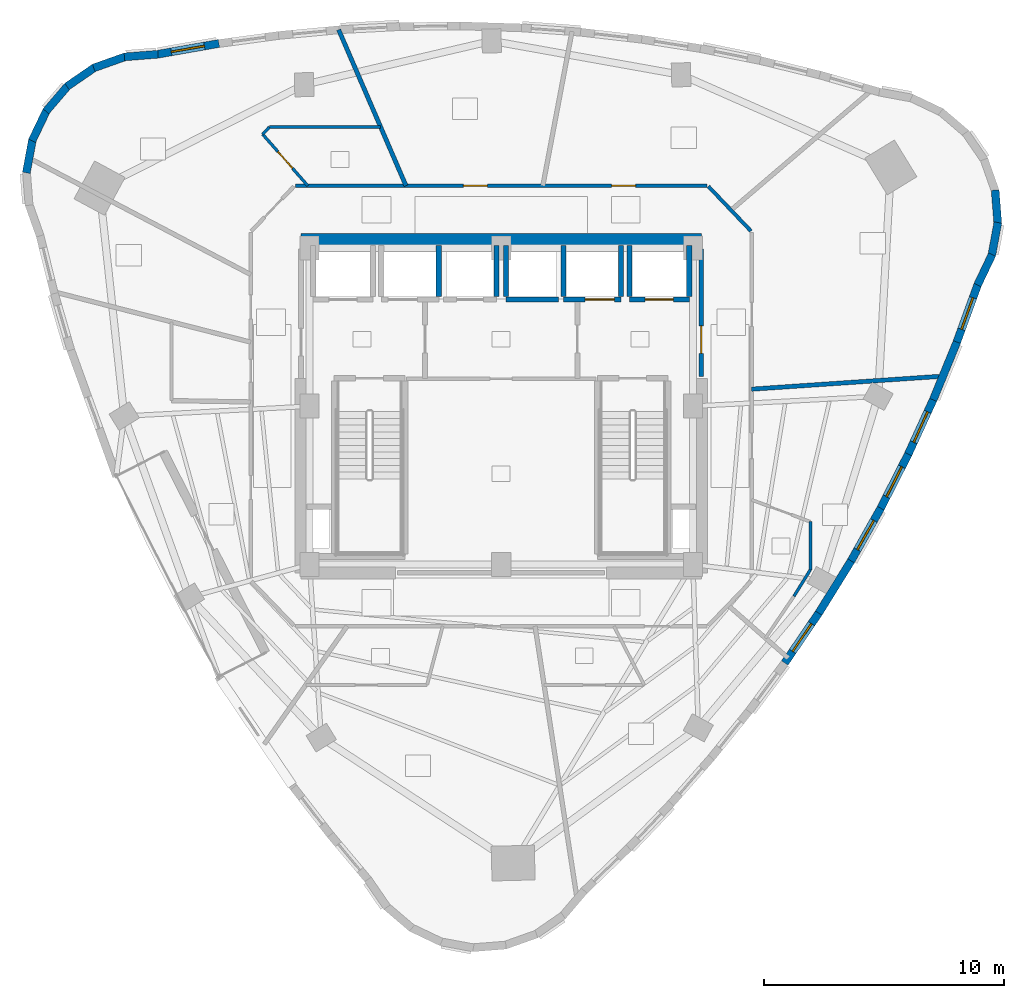
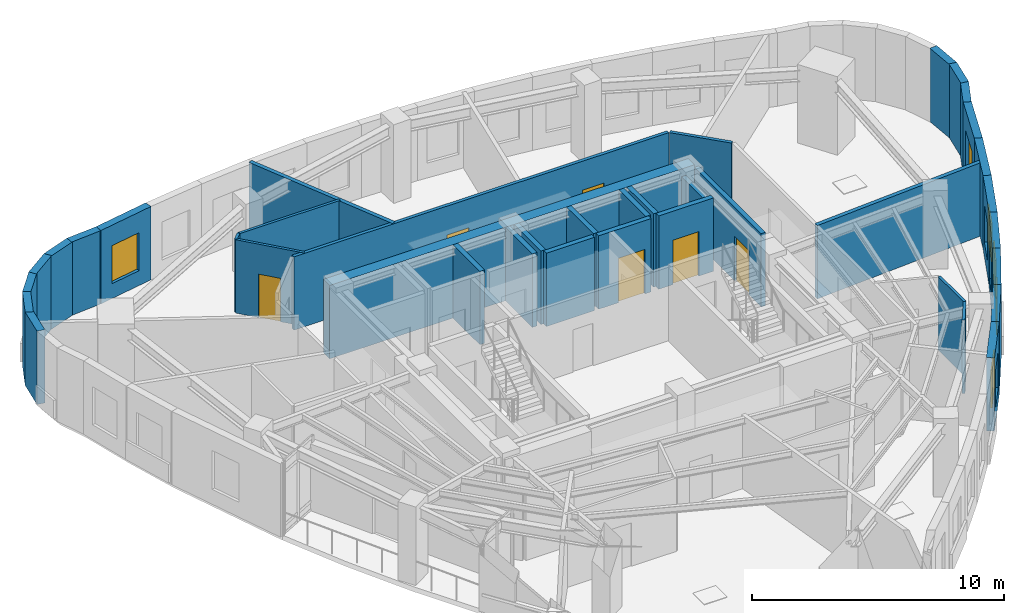
# One storey, part 8 of 12: 38 walls, 6 doors, 6 windows, 12 openings.
"""IFC4 building model written with IfcOpenShell, lengths in metres."""

from ifc_helpers import new_model, si_unit, direction, frame, frame_2d, origin, place, context, subcontext, project, spatial, rectangle, extrude, material, layer, layer_set, type_object, element, fill, save


model = new_model("IFC4")

# Units and contexts
model_context = context("Model", 3, precision=1e-05, world=origin(), true_north=direction((0.0, 1.0)))
body_context = subcontext(model_context, "Body", "Model", "MODEL_VIEW")
ifc_project = project(units=[si_unit("LENGTHUNIT", "METRE"), si_unit("AREAUNIT", "SQUARE_METRE"), si_unit("VOLUMEUNIT", "CUBIC_METRE"), si_unit("PLANEANGLEUNIT", "RADIAN"), si_unit("MASSUNIT", "GRAM", prefix="KILO")], contexts=[model_context])

# Site, building, storey
site_placement = place(None, origin())
site = spatial("IfcSite", under=ifc_project, at=site_placement, CompositionType="ELEMENT")
building_placement = place(site_placement, origin())
building = spatial("IfcBuilding", under=site, at=building_placement, Name="Ndelora Gate Hotel", CompositionType="ELEMENT")
storey_placement = place(building_placement, frame((0.0, 0.0, 201.75)))
storey = spatial("IfcBuildingStorey", under=building, at=storey_placement, Name="L50", CompositionType="ELEMENT", Elevation=201.75)

# Walls
ifc_material_1 = material(Name="Acoustic Double-Stud Gypsum Assembly", Category="gypsum")
ifc_layer_1 = layer(ifc_material_1, 0.179931640625)
ifc_layer_set_1 = layer_set([ifc_layer_1], Name="Acoustic Double-Stud Gypsum Assembly")
wall_type_1 = type_object("IfcWallType", Name="WL-ACOUST-180", PredefinedType="PARTITIONING", material=ifc_layer_set_1)
wall_1_placement = place(storey_placement, frame((10.449951171875, 0.7109375, 0.0), z_axis=(0.0, 0.0, 1.0), x_axis=(0.997694458534, 0.067865804428, 0.0)))
element("IfcWall", 1, at=wall_1_placement, inside=storey, type_object=wall_type_1, Name="L50 Interior Wall IW-3", PredefinedType="PARTITIONING", context=body_context, shape_type="SweptSolid", body=[
    extrude(rectangle(XDim=8.000732421875, YDim=0.179931640625, at=frame_2d((4.00048828125, 0.0))), origin(), (0.0, 0.0, 1.0), 3.550048828125),
])
wall_2_placement = place(storey_placement, frame((-3.971923828125, 9.199951171875, 0.0), z_axis=(0.0, 0.0, 1.0), x_axis=(-0.396382581843, 0.918085425661, 0.0)))
element("IfcWall", 2, at=wall_2_placement, inside=storey, type_object=wall_type_1, Name="L50 Interior Wall IW-3", PredefinedType="PARTITIONING", context=body_context, shape_type="SweptSolid", body=[
    extrude(rectangle(XDim=7.08935546875, YDim=0.179931640625, at=frame_2d((3.544677734375, 0.0))), origin(), (0.0, 0.0, 1.0), 3.550048828125),
])
ifc_material_2 = material(Name="Clay Brick Masonry", Category="masonry")
ifc_layer_2 = layer(ifc_material_2, 0.330078125)
ifc_layer_set_2 = layer_set([ifc_layer_2], Name="Clay Brick Masonry")
wall_type_2 = type_object("IfcWallType", Name="WL-BRICK-330", PredefinedType="SOLIDWALL", material=ifc_layer_set_2)
wall_3_placement = place(storey_placement, frame((-15.72265625, 14.576416015625, 0.0), z_axis=(0.0, 0.0, 1.0), x_axis=(0.996907811278, 0.07857999626, 0.0)))
element("IfcWall", 3, at=wall_3_placement, inside=storey, type_object=wall_type_2, Name="L50 Tower Brick Pier-and-Spandrel Wall TWR-1", PredefinedType="SOLIDWALL", context=body_context, shape_type="SweptSolid", body=[
    extrude(rectangle(XDim=1.407470703125, YDim=0.330078125, at=frame_2d((0.70361328125, 0.0))), origin(), (0.0, 0.0, 1.0), 3.550048828125),
])
wall_4_placement = place(storey_placement, frame((-17.0009765625, 14.1171875, 0.0), z_axis=(0.0, 0.0, 1.0), x_axis=(0.942676111555, 0.333709077945, 0.0)))
element("IfcWall", 4, at=wall_4_placement, inside=storey, type_object=wall_type_2, Name="L50 Tower Brick Pier-and-Spandrel Wall TWR-2", PredefinedType="SOLIDWALL", context=body_context, shape_type="SweptSolid", body=[
    extrude(rectangle(XDim=1.40771484375, YDim=0.330078125, at=frame_2d((0.703857421875, 0.0))), origin(), (0.0, 0.0, 1.0), 3.550048828125),
])
for number, where, z_axis, x_axis, name in (
    (5, (-18.11669921875, 13.34228515625, 0.0), (0.0, 0.0, 1.0), (0.824067227947, 0.566492015675, 0.0), "L50 Tower Brick Pier-and-Spandrel Wall TWR-3"),
    (6, (-18.993896484375, 12.30517578125, 0.0), (0.0, 0.0, 1.0), (0.64941898982, 0.760430782952, 0.0), "L50 Tower Brick Pier-and-Spandrel Wall TWR-4"),
    (7, (-19.572998046875, 11.076416015625, 0.0), (0.0, 0.0, 1.0), (0.430694266873, 0.902497893894, 0.0), "L50 Tower Brick Pier-and-Spandrel Wall TWR-5"),
    (8, (-19.814208984375, 9.73974609375, 0.0), (0.0, 0.0, 1.0), (0.182319094132, 0.983239415359, 0.0), "L50 Tower Brick Pier-and-Spandrel Wall TWR-6"),
):
    element("IfcWall", number, at=place(storey_placement, frame(where, z_axis=z_axis, x_axis=x_axis)), inside=storey, type_object=wall_type_2, Name=name, PredefinedType="SOLIDWALL", context=body_context, shape_type="SweptSolid", body=[
        extrude(rectangle(XDim=1.407470703125, YDim=0.330078125, at=frame_2d((0.70361328125, 0.0))), origin(), (0.0, 0.0, 1.0), 3.550048828125),
    ])

# Wall, opening, window
wall_5_placement = place(storey_placement, frame((13.277099609375, -8.59228515625, 0.0), z_axis=(0.0, 0.0, 1.0), x_axis=(-0.562164288669, -0.827025581554, 0.0)))
wall_5 = element("IfcWall", 9, at=wall_5_placement, inside=storey, type_object=wall_type_2, Name="L50 Tower Brick Pier-and-Spandrel Wall TWR-32", PredefinedType="SOLIDWALL", context=body_context, shape_type="SweptSolid", body=[
    extrude(rectangle(XDim=2.566162109375, YDim=0.330078125, at=frame_2d((1.283203125, 0.0))), origin(), (0.0, 0.0, 1.0), 3.550048828125),
])
opening_1_placement = place(wall_5_placement, frame((0.5830078125, 0.0, 0.719970703125)))
opening_1 = element("IfcOpeningElement", 10, at=opening_1_placement, cuts=wall_5, Name="Opening W02", PredefinedType="OPENING", context=body_context, shape_type="SweptSolid", body=[
    extrude(rectangle(XDim=1.39990234375, YDim=1.840087890625, at=frame_2d((0.699951171875, 0.919921875))), frame((0.0, 0.175048828125, 0.0), z_axis=(0.0, -1.0, 0.0), x_axis=(1.0, 0.0, 0.0)), (0.0, 0.0, 1.0), 0.35009765625),
])
ifc_material_3 = material(Name="Insulated Low-E Double Glazing in Bronze Aluminium Frame", Category="aluminium")
window_type = type_object("IfcWindowType", Name="WN-DEEP-1400", PartitioningType="SINGLE_PANEL", PredefinedType="WINDOW", material=ifc_material_3)
window_1_placement = place(opening_1_placement, origin())
window_1 = element("IfcWindow", 11, at=window_1_placement, inside=storey, type_object=window_type, Name="L50 Deep-Set Brick-Pier Window W02", OverallHeight=1.840087890625, OverallWidth=1.39990234375, PartitioningType="SINGLE_PANEL", PredefinedType="WINDOW", context=body_context, shape_type="SweptSolid", body=[
    extrude(rectangle(XDim=1.39990234375, YDim=1.840087890625, at=frame_2d((0.699951171875, 0.919921875))), frame((0.0, 0.030029296875, 0.0), z_axis=(0.0, -1.0, 0.0), x_axis=(1.0, 0.0, 0.0)), (0.0, 0.0, 1.0), 0.06005859375),
])
fill(opening_1, window_1)

# Wall
wall_6_placement = place(storey_placement, frame((14.601806640625, -6.453369140625, 0.0), z_axis=(0.0, 0.0, 1.0), x_axis=(-0.526908054593, -0.849922291745, 0.0)))
element("IfcWall", 12, at=wall_6_placement, inside=storey, type_object=wall_type_2, Name="L50 Tower Brick Pier-and-Spandrel Wall TWR-33", PredefinedType="SOLIDWALL", context=body_context, shape_type="SweptSolid", body=[
    extrude(rectangle(XDim=2.56591796875, YDim=0.330078125, at=frame_2d((1.282958984375, 0.0))), origin(), (0.0, 0.0, 1.0), 3.550048828125),
])

# Wall, opening, window
wall_7_placement = place(storey_placement, frame((15.838134765625, -4.2568359375, 0.0), z_axis=(0.0, 0.0, 1.0), x_axis=(-0.490851857412, -0.871243051091, 0.0)))
wall_7 = element("IfcWall", 13, at=wall_7_placement, inside=storey, type_object=wall_type_2, Name="L50 Tower Brick Pier-and-Spandrel Wall TWR-34", PredefinedType="SOLIDWALL", context=body_context, shape_type="SweptSolid", body=[
    extrude(rectangle(XDim=2.570556640625, YDim=0.330078125, at=frame_2d((1.28515625, 0.0))), origin(), (0.0, 0.0, 1.0), 3.550048828125),
])
opening_2_placement = place(wall_7_placement, frame((0.585205078125, 0.0, 0.719970703125)))
opening_2 = element("IfcOpeningElement", 14, at=opening_2_placement, cuts=wall_7, Name="Opening W02", PredefinedType="OPENING", context=body_context, shape_type="SweptSolid", body=[
    extrude(rectangle(XDim=1.39990234375, YDim=1.840087890625, at=frame_2d((0.699951171875, 0.919921875))), frame((0.0, 0.175048828125, 0.0), z_axis=(0.0, -1.0, 0.0), x_axis=(1.0, 0.0, 0.0)), (0.0, 0.0, 1.0), 0.35009765625),
])
window_2_placement = place(opening_2_placement, origin())
window_2 = element("IfcWindow", 15, at=window_2_placement, inside=storey, type_object=window_type, Name="L50 Deep-Set Brick-Pier Window W02", OverallHeight=1.840087890625, OverallWidth=1.39990234375, PartitioningType="SINGLE_PANEL", PredefinedType="WINDOW", context=body_context, shape_type="SweptSolid", body=[
    extrude(rectangle(XDim=1.39990234375, YDim=1.840087890625, at=frame_2d((0.699951171875, 0.919921875))), frame((0.0, 0.030029296875, 0.0), z_axis=(0.0, -1.0, 0.0), x_axis=(1.0, 0.0, 0.0)), (0.0, 0.0, 1.0), 0.06005859375),
])
fill(opening_2, window_2)

wall_8_placement = place(storey_placement, frame((16.986083984375, -2.002685546875, 0.0), z_axis=(0.0, 0.0, 1.0), x_axis=(-0.454203650024, -0.890897886576, 0.0)))
wall_8 = element("IfcWall", 16, at=wall_8_placement, inside=storey, type_object=wall_type_2, Name="L50 Tower Brick Pier-and-Spandrel Wall TWR-35", PredefinedType="SOLIDWALL", context=body_context, shape_type="SweptSolid", body=[
    extrude(rectangle(XDim=2.57958984375, YDim=0.330078125, at=frame_2d((1.289794921875, 0.0))), origin(), (0.0, 0.0, 1.0), 3.550048828125),
])
opening_3_placement = place(wall_8_placement, frame((0.589599609375, 0.0, 0.719970703125)))
opening_3 = element("IfcOpeningElement", 17, at=opening_3_placement, cuts=wall_8, Name="Opening W02", PredefinedType="OPENING", context=body_context, shape_type="SweptSolid", body=[
    extrude(rectangle(XDim=1.39990234375, YDim=1.840087890625, at=frame_2d((0.699951171875, 0.919921875))), frame((0.0, 0.175048828125, 0.0), z_axis=(0.0, -1.0, 0.0), x_axis=(1.0, 0.0, 0.0)), (0.0, 0.0, 1.0), 0.35009765625),
])
window_3_placement = place(opening_3_placement, origin())
window_3 = element("IfcWindow", 18, at=window_3_placement, inside=storey, type_object=window_type, Name="L50 Deep-Set Brick-Pier Window W02", OverallHeight=1.840087890625, OverallWidth=1.39990234375, PartitioningType="SINGLE_PANEL", PredefinedType="WINDOW", context=body_context, shape_type="SweptSolid", body=[
    extrude(rectangle(XDim=1.39990234375, YDim=1.840087890625, at=frame_2d((0.699951171875, 0.919921875))), frame((0.0, 0.030029296875, 0.0), z_axis=(0.0, -1.0, 0.0), x_axis=(1.0, 0.0, 0.0)), (0.0, 0.0, 1.0), 0.06005859375),
])
fill(opening_3, window_3)

wall_9_placement = place(storey_placement, frame((18.04541015625, 0.30859375, 0.0), z_axis=(0.0, 0.0, 1.0), x_axis=(-0.41697893771, -0.908916148776, 0.0)))
wall_9 = element("IfcWall", 19, at=wall_9_placement, inside=storey, type_object=wall_type_2, Name="L50 Tower Brick Pier-and-Spandrel Wall TWR-36", PredefinedType="SOLIDWALL", context=body_context, shape_type="SweptSolid", body=[
    extrude(rectangle(XDim=2.592529296875, YDim=0.330078125, at=frame_2d((1.29638671875, 0.0))), origin(), (0.0, 0.0, 1.0), 3.550048828125),
])
opening_4_placement = place(wall_9_placement, frame((0.59619140625, 0.0, 0.719970703125)))
opening_4 = element("IfcOpeningElement", 20, at=opening_4_placement, cuts=wall_9, Name="Opening W02", PredefinedType="OPENING", context=body_context, shape_type="SweptSolid", body=[
    extrude(rectangle(XDim=1.39990234375, YDim=1.840087890625, at=frame_2d((0.699951171875, 0.919921875))), frame((0.0, 0.175048828125, 0.0), z_axis=(0.0, -1.0, 0.0), x_axis=(1.0, 0.0, 0.0)), (0.0, 0.0, 1.0), 0.35009765625),
])
window_4_placement = place(opening_4_placement, origin())
window_4 = element("IfcWindow", 21, at=window_4_placement, inside=storey, type_object=window_type, Name="L50 Deep-Set Brick-Pier Window W02", OverallHeight=1.840087890625, OverallWidth=1.39990234375, PartitioningType="SINGLE_PANEL", PredefinedType="WINDOW", context=body_context, shape_type="SweptSolid", body=[
    extrude(rectangle(XDim=1.39990234375, YDim=1.840087890625, at=frame_2d((0.699951171875, 0.919921875))), frame((0.0, 0.030029296875, 0.0), z_axis=(0.0, -1.0, 0.0), x_axis=(1.0, 0.0, 0.0)), (0.0, 0.0, 1.0), 0.06005859375),
])
fill(opening_4, window_4)

# Wall
wall_10_placement = place(storey_placement, frame((19.01611328125, 2.67724609375, 0.0), z_axis=(0.0, 0.0, 1.0), x_axis=(-0.379601522234, -0.925150087455, 0.0)))
element("IfcWall", 22, at=wall_10_placement, inside=storey, type_object=wall_type_2, Name="L50 Tower Brick Pier-and-Spandrel Wall TWR-37", PredefinedType="SOLIDWALL", context=body_context, shape_type="SweptSolid", body=[
    extrude(rectangle(XDim=2.60986328125, YDim=0.330078125, at=frame_2d((1.304931640625, 0.0))), origin(), (0.0, 0.0, 1.0), 3.550048828125),
])

# Wall, opening, window
wall_11_placement = place(storey_placement, frame((19.8984375, 5.103759765625, 0.0), z_axis=(0.0, 0.0, 1.0), x_axis=(-0.342100538488, -0.939663355445, 0.0)))
wall_11 = element("IfcWall", 23, at=wall_11_placement, inside=storey, type_object=wall_type_2, Name="L50 Tower Brick Pier-and-Spandrel Wall TWR-38", PredefinedType="SOLIDWALL", context=body_context, shape_type="SweptSolid", body=[
    extrude(rectangle(XDim=2.6318359375, YDim=0.330078125, at=frame_2d((1.31591796875, 0.0))), origin(), (0.0, 0.0, 1.0), 3.550048828125),
])
opening_5_placement = place(wall_11_placement, frame((0.615966796875, 0.0, 0.719970703125)))
opening_5 = element("IfcOpeningElement", 24, at=opening_5_placement, cuts=wall_11, Name="Opening W02", PredefinedType="OPENING", context=body_context, shape_type="SweptSolid", body=[
    extrude(rectangle(XDim=1.39990234375, YDim=1.840087890625, at=frame_2d((0.699951171875, 0.919921875))), frame((0.0, 0.175048828125, 0.0), z_axis=(0.0, -1.0, 0.0), x_axis=(1.0, 0.0, 0.0)), (0.0, 0.0, 1.0), 0.35009765625),
])
window_5_placement = place(opening_5_placement, origin())
window_5 = element("IfcWindow", 25, at=window_5_placement, inside=storey, type_object=window_type, Name="L50 Deep-Set Brick-Pier Window W02", OverallHeight=1.840087890625, OverallWidth=1.39990234375, PartitioningType="SINGLE_PANEL", PredefinedType="WINDOW", context=body_context, shape_type="SweptSolid", body=[
    extrude(rectangle(XDim=1.39990234375, YDim=1.840087890625, at=frame_2d((0.699951171875, 0.919921875))), frame((0.0, 0.030029296875, 0.0), z_axis=(0.0, -1.0, 0.0), x_axis=(1.0, 0.0, 0.0)), (0.0, 0.0, 1.0), 0.06005859375),
])
fill(opening_5, window_5)

# Walls
wall_12_placement = place(storey_placement, frame((20.485107421875, 6.327880859375, 0.0), z_axis=(0.0, 0.0, 1.0), x_axis=(-0.430694266873, -0.902497893894, 0.0)))
element("IfcWall", 26, at=wall_12_placement, inside=storey, type_object=wall_type_2, Name="L50 Tower Brick Pier-and-Spandrel Wall TWR-39", PredefinedType="SOLIDWALL", context=body_context, shape_type="SweptSolid", body=[
    extrude(rectangle(XDim=1.407470703125, YDim=0.330078125, at=frame_2d((0.70361328125, 0.0))), origin(), (0.0, 0.0, 1.0), 3.550048828125),
])
wall_13_placement = place(storey_placement, frame((20.726318359375, 7.664794921875, 0.0), z_axis=(0.0, 0.0, 1.0), x_axis=(-0.182455673353, -0.983214080077, 0.0)))
element("IfcWall", 27, at=wall_13_placement, inside=storey, type_object=wall_type_2, Name="L50 Tower Brick Pier-and-Spandrel Wall TWR-40", PredefinedType="SOLIDWALL", context=body_context, shape_type="SweptSolid", body=[
    extrude(rectangle(XDim=1.40771484375, YDim=0.330078125, at=frame_2d((0.703857421875, 0.0))), origin(), (0.0, 0.0, 1.0), 3.550048828125),
])
wall_14_placement = place(storey_placement, frame((20.613037109375, 9.018310546875, 0.0), z_axis=(0.0, 0.0, 1.0), x_axis=(0.07857999626, -0.996907811278, 0.0)))
element("IfcWall", 28, at=wall_14_placement, inside=storey, type_object=wall_type_2, Name="L50 Tower Brick Pier-and-Spandrel Wall TWR-41", PredefinedType="SOLIDWALL", context=body_context, shape_type="SweptSolid", body=[
    extrude(rectangle(XDim=1.407470703125, YDim=0.330078125, at=frame_2d((0.70361328125, 0.0))), origin(), (0.0, 0.0, 1.0), 3.550048828125),
])

# Wall, opening, window
wall_15_placement = place(storey_placement, frame((-14.368896484375, 14.6806640625, 0.0), z_axis=(0.0, 0.0, 1.0), x_axis=(0.984819029835, 0.173584211476, 0.0)))
wall_15 = element("IfcWall", 29, at=wall_15_placement, inside=storey, type_object=wall_type_2, Name="L50 Tower Brick Pier-and-Spandrel Wall TWR-58", PredefinedType="SOLIDWALL", context=body_context, shape_type="SweptSolid", body=[
    extrude(rectangle(XDim=2.631591796875, YDim=0.330078125, at=frame_2d((1.31591796875, 0.0))), origin(), (0.0, 0.0, 1.0), 3.550048828125),
])
opening_6_placement = place(wall_15_placement, frame((0.61572265625, 0.0, 0.719970703125)))
opening_6 = element("IfcOpeningElement", 30, at=opening_6_placement, cuts=wall_15, Name="Opening W02", PredefinedType="OPENING", context=body_context, shape_type="SweptSolid", body=[
    extrude(rectangle(XDim=1.39990234375, YDim=1.840087890625, at=frame_2d((0.699951171875, 0.919921875))), frame((0.0, 0.175048828125, 0.0), z_axis=(0.0, -1.0, 0.0), x_axis=(1.0, 0.0, 0.0)), (0.0, 0.0, 1.0), 0.35009765625),
])
window_6_placement = place(opening_6_placement, origin())
window_6 = element("IfcWindow", 31, at=window_6_placement, inside=storey, type_object=window_type, Name="L50 Deep-Set Brick-Pier Window W02", OverallHeight=1.840087890625, OverallWidth=1.39990234375, PartitioningType="SINGLE_PANEL", PredefinedType="WINDOW", context=body_context, shape_type="SweptSolid", body=[
    extrude(rectangle(XDim=1.39990234375, YDim=1.840087890625, at=frame_2d((0.699951171875, 0.919921875))), frame((0.0, 0.030029296875, 0.0), z_axis=(0.0, -1.0, 0.0), x_axis=(1.0, 0.0, 0.0)), (0.0, 0.0, 1.0), 0.06005859375),
])
fill(opening_6, window_6)

# Wall
ifc_material_4 = material(Name="Concrete C50/60", Category="concrete")
ifc_layer_3 = layer(ifc_material_4, 0.5)
ifc_layer_set_3 = layer_set([ifc_layer_3], Name="Concrete C50/60")
wall_type_3 = type_object("IfcWallType", Name="WL-CORE-500", PredefinedType="SHEAR", material=ifc_layer_set_3)
wall_16_placement = place(storey_placement, frame((-8.35009765625, 6.949951171875, 0.0), z_axis=(0.0, 0.0, 1.0), x_axis=(1.0, 0.0, 0.0)))
element("IfcWall", 32, at=wall_16_placement, inside=storey, type_object=wall_type_3, Name="L50 Core Shear Wall N", PredefinedType="SHEAR", context=body_context, shape_type="SweptSolid", body=[
    extrude(rectangle(XDim=16.7001953125, YDim=0.5, at=frame_2d((8.35009765625, 0.0))), origin(), (0.0, 0.0, 1.0), 3.550048828125),
])

# Wall, opening, door
ifc_material_5 = material(Name="Concrete C40/50", Category="concrete")
ifc_layer_4 = layer(ifc_material_5, 0.199951171875)
ifc_layer_set_4 = layer_set([ifc_layer_4], Name="Concrete C40/50")
wall_type_4 = type_object("IfcWallType", Name="WL-FIRE-200", PredefinedType="PARTITIONING", material=ifc_layer_set_4)
wall_17_placement = place(storey_placement, frame((8.35009765625, 1.25, 0.0), z_axis=(0.0, 0.0, 1.0), x_axis=(0.0, 1.0, 0.0)))
wall_17 = element("IfcWall", 33, at=wall_17_placement, inside=storey, type_object=wall_type_4, Name="L50 Interior Wall IW-2", PredefinedType="PARTITIONING", context=body_context, shape_type="SweptSolid", body=[
    extrude(rectangle(XDim=5.300048828125, YDim=0.199951171875, at=frame_2d((2.64990234375, 0.0))), origin(), (0.0, 0.0, 1.0), 3.550048828125),
])
opening_7_placement = place(wall_17_placement, frame((0.949951171875, 0.0, 0.0)))
opening_7 = element("IfcOpeningElement", 34, at=opening_7_placement, cuts=wall_17, Name="Opening FD1", PredefinedType="OPENING", context=body_context, shape_type="SweptSolid", body=[
    extrude(rectangle(XDim=1.14990234375, YDim=2.14990234375, at=frame_2d((0.574951171875, 1.074951171875))), frame((0.0, 0.10986328125, 0.0), z_axis=(0.0, -1.0, 0.0), x_axis=(1.0, 0.0, 0.0)), (0.0, 0.0, 1.0), 0.219970703125),
])
ifc_material_6 = material(Name="Fire-Rated Timber-Veneer Steel Core", Category="steel")
door_type_1 = type_object("IfcDoorType", Name="DR-FD60", OperationType="SINGLE_SWING_LEFT", PredefinedType="DOOR", material=ifc_material_6)
door_1_placement = place(opening_7_placement, origin())
door_1 = element("IfcDoor", 35, at=door_1_placement, inside=storey, type_object=door_type_1, Name="L50 Firefighting Lobby East Corridor Door", OperationType="SINGLE_SWING_RIGHT", OverallHeight=2.14990234375, OverallWidth=1.14990234375, PredefinedType="DOOR", context=body_context, shape_type="SweptSolid", body=[
    extrude(rectangle(XDim=1.14990234375, YDim=2.14990234375, at=frame_2d((0.574951171875, 1.074951171875))), frame((0.0, 0.02490234375, 0.0), z_axis=(0.0, -1.0, 0.0), x_axis=(1.0, 0.0, 0.0)), (0.0, 0.0, 1.0), 0.050048828125),
])
fill(opening_7, door_1)

# Wall
ifc_material_7 = material(Name="Fire-Rated Gypsum Stud Partition", Category="gypsum")
ifc_layer_5 = layer(ifc_material_7, 0.14990234375)
ifc_layer_set_5 = layer_set([ifc_layer_5], Name="Fire-Rated Gypsum Stud Partition")
wall_type_5 = type_object("IfcWallType", Name="WL-PART-150", PredefinedType="PARTITIONING", material=ifc_layer_set_5)
wall_18_placement = place(storey_placement, frame((8.647705078125, 9.1708984375, 0.0), z_axis=(0.0, 0.0, 1.0), x_axis=(0.689960858356, -0.723846678473, 0.0)))
element("IfcWall", 36, at=wall_18_placement, inside=storey, type_object=wall_type_5, Name="L50 Interior Wall IW-5", PredefinedType="PARTITIONING", context=body_context, shape_type="SweptSolid", body=[
    extrude(rectangle(XDim=2.572021484375, YDim=0.14990234375, at=frame_2d((1.2861328125, 0.0))), origin(), (0.0, 0.0, 1.0), 3.550048828125),
])

# Wall, openings, doors
wall_19_placement = place(storey_placement, frame((-8.580078125, 9.199951171875, 0.0), z_axis=(0.0, 0.0, 1.0), x_axis=(1.0, 0.0, 0.0)))
wall_19 = element("IfcWall", 37, at=wall_19_placement, inside=storey, type_object=wall_type_5, Name="L50 Interior Wall IW-5", PredefinedType="PARTITIONING", context=body_context, shape_type="SweptSolid", body=[
    extrude(rectangle(XDim=17.16015625, YDim=0.14990234375, at=frame_2d((8.580078125, 0.0))), origin(), (0.0, 0.0, 1.0), 3.550048828125),
])
opening_8_placement = place(wall_19_placement, frame((7.0078125, 0.0, 0.0)))
opening_8 = element("IfcOpeningElement", 38, at=opening_8_placement, cuts=wall_19, Name="Opening D01", PredefinedType="OPENING", context=body_context, shape_type="SweptSolid", body=[
    extrude(rectangle(XDim=1.0, YDim=2.14990234375, at=frame_2d((0.5, 1.074951171875))), frame((0.0, 0.0849609375, 0.0), z_axis=(0.0, -1.0, 0.0), x_axis=(1.0, 0.0, 0.0)), (0.0, 0.0, 1.0), 0.169921875),
])
opening_9_placement = place(wall_19_placement, frame((13.189453125, 0.0, 0.0)))
opening_9 = element("IfcOpeningElement", 39, at=opening_9_placement, cuts=wall_19, Name="Opening D01", PredefinedType="OPENING", context=body_context, shape_type="SweptSolid", body=[
    extrude(rectangle(XDim=1.0, YDim=2.14990234375, at=frame_2d((0.5, 1.074951171875))), frame((0.0, 0.0849609375, 0.0), z_axis=(0.0, -1.0, 0.0), x_axis=(1.0, 0.0, 0.0)), (0.0, 0.0, 1.0), 0.169921875),
])
ifc_material_8 = material(Name="Acoustic Hardwood Guest Entrance Door", Category="wood")
door_type_2 = type_object("IfcDoorType", Name="DR-COR-1000", OperationType="SINGLE_SWING_LEFT", PredefinedType="DOOR", material=ifc_material_8)
door_2_placement = place(opening_8_placement, origin())
door_2 = element("IfcDoor", 40, at=door_2_placement, inside=storey, type_object=door_type_2, Name="L50 Private Tea Cocktail Bar Entrance Door", OperationType="SINGLE_SWING_LEFT", OverallHeight=2.14990234375, OverallWidth=1.0, PredefinedType="DOOR", context=body_context, shape_type="SweptSolid", body=[
    extrude(rectangle(XDim=1.0, YDim=2.14990234375, at=frame_2d((0.5, 1.074951171875))), frame((0.0, 0.02490234375, 0.0), z_axis=(0.0, -1.0, 0.0), x_axis=(1.0, 0.0, 0.0)), (0.0, 0.0, 1.0), 0.050048828125),
])
fill(opening_8, door_2)
door_3_placement = place(opening_9_placement, origin())
door_3 = element("IfcDoor", 41, at=door_3_placement, inside=storey, type_object=door_type_2, Name="L50 Diplomatic Briefing Office Entrance Door", OperationType="SINGLE_SWING_RIGHT", OverallHeight=2.14990234375, OverallWidth=1.0, PredefinedType="DOOR", context=body_context, shape_type="SweptSolid", body=[
    extrude(rectangle(XDim=1.0, YDim=2.14990234375, at=frame_2d((0.5, 1.074951171875))), frame((0.0, 0.02490234375, 0.0), z_axis=(0.0, -1.0, 0.0), x_axis=(1.0, 0.0, 0.0)), (0.0, 0.0, 1.0), 0.050048828125),
])
fill(opening_9, door_3)

# Wall, opening, door
ifc_layer_6 = layer(ifc_material_5, 0.219970703125)
ifc_layer_set_6 = layer_set([ifc_layer_6], Name="Concrete C40/50")
wall_type_6 = type_object("IfcWallType", Name="WL-SHAFT-220", PredefinedType="PARTITIONING", material=ifc_layer_set_6)
wall_20_placement = place(storey_placement, frame((5.35009765625, 4.449951171875, 0.0), z_axis=(0.0, 0.0, 1.0), x_axis=(1.0, 0.0, 0.0)))
wall_20 = element("IfcWall", 42, at=wall_20_placement, inside=storey, type_object=wall_type_6, Name="L50 Interior Wall IW-1", PredefinedType="PARTITIONING", context=body_context, shape_type="SweptSolid", body=[
    extrude(rectangle(XDim=2.5, YDim=0.219970703125, at=frame_2d((1.25, 0.0))), origin(), (0.0, 0.0, 1.0), 3.550048828125),
])
opening_10_placement = place(wall_20_placement, frame((0.659912109375, 0.0, 0.0)))
opening_10 = element("IfcOpeningElement", 43, at=opening_10_placement, cuts=wall_20, Name="Opening LD5", PredefinedType="OPENING", context=body_context, shape_type="SweptSolid", body=[
    extrude(rectangle(XDim=1.179931640625, YDim=2.14990234375, at=frame_2d((0.58984375, 1.074951171875))), frame((0.0, 0.1201171875, 0.0), z_axis=(0.0, -1.0, 0.0), x_axis=(1.0, 0.0, 0.0)), (0.0, 0.0, 1.0), 0.239990234375),
])
ifc_material_9 = material(Name="Firefighting Lift Stainless Sliding Landing Door", Category="metal")
door_type_3 = type_object("IfcDoorType", Name="DR-LD5", OperationType="DOUBLE_DOOR_SLIDING", PredefinedType="DOOR", material=ifc_material_9)
door_4_placement = place(opening_10_placement, origin())
door_4 = element("IfcDoor", 44, at=door_4_placement, inside=storey, type_object=door_type_3, Name="L50 Lift Landing Sliding Door FFL2", OperationType="DOUBLE_DOOR_SLIDING", OverallHeight=2.14990234375, OverallWidth=1.179931640625, PredefinedType="DOOR", context=body_context, shape_type="SweptSolid", body=[
    extrude(rectangle(XDim=1.179931640625, YDim=2.14990234375, at=frame_2d((0.58984375, 1.074951171875))), frame((0.0, 0.02490234375, 0.0), z_axis=(0.0, -1.0, 0.0), x_axis=(1.0, 0.0, 0.0)), (0.0, 0.0, 1.0), 0.050048828125),
])
fill(opening_10, door_4)

# Walls
wall_21_placement = place(storey_placement, frame((5.35009765625, 4.570068359375, 0.0), z_axis=(0.0, 0.0, 1.0), x_axis=(0.0, 1.0, 0.0)))
element("IfcWall", 45, at=wall_21_placement, inside=storey, type_object=wall_type_6, Name="L50 Interior Wall IW-1", PredefinedType="PARTITIONING", context=body_context, shape_type="SweptSolid", body=[
    extrude(rectangle(XDim=2.1298828125, YDim=0.219970703125, at=frame_2d((1.06494140625, 0.0))), origin(), (0.0, 0.0, 1.0), 3.550048828125),
])
wall_22_placement = place(storey_placement, frame((7.85009765625, 4.570068359375, 0.0), z_axis=(0.0, 0.0, 1.0), x_axis=(0.0, 1.0, 0.0)))
element("IfcWall", 46, at=wall_22_placement, inside=storey, type_object=wall_type_6, Name="L50 Interior Wall IW-1", PredefinedType="PARTITIONING", context=body_context, shape_type="SweptSolid", body=[
    extrude(rectangle(XDim=2.1298828125, YDim=0.219970703125, at=frame_2d((1.06494140625, 0.0))), origin(), (0.0, 0.0, 1.0), 3.179931640625),
])
wall_23_placement = place(storey_placement, frame((-2.60009765625, 4.570068359375, 0.0), z_axis=(0.0, 0.0, 1.0), x_axis=(0.0, 1.0, 0.0)))
element("IfcWall", 47, at=wall_23_placement, inside=storey, type_object=wall_type_6, Name="L50 Interior Wall IW-1", PredefinedType="PARTITIONING", context=body_context, shape_type="SweptSolid", body=[
    extrude(rectangle(XDim=2.1298828125, YDim=0.219970703125, at=frame_2d((1.06494140625, 0.0))), origin(), (0.0, 0.0, 1.0), 3.550048828125),
])

# Wall, opening, door
wall_24_placement = place(storey_placement, frame((2.60009765625, 4.449951171875, 0.0), z_axis=(0.0, 0.0, 1.0), x_axis=(1.0, 0.0, 0.0)))
wall_24 = element("IfcWall", 48, at=wall_24_placement, inside=storey, type_object=wall_type_6, Name="L50 Interior Wall IW-1", PredefinedType="PARTITIONING", context=body_context, shape_type="SweptSolid", body=[
    extrude(rectangle(XDim=2.39990234375, YDim=0.219970703125, at=frame_2d((1.199951171875, 0.0))), origin(), (0.0, 0.0, 1.0), 3.550048828125),
])
opening_11_placement = place(wall_24_placement, frame((0.89990234375, 0.0, 0.0)))
opening_11 = element("IfcOpeningElement", 49, at=opening_11_placement, cuts=wall_24, Name="Opening LD6", PredefinedType="OPENING", context=body_context, shape_type="SweptSolid", body=[
    extrude(rectangle(XDim=1.219970703125, YDim=2.14990234375, at=frame_2d((0.60986328125, 1.074951171875))), frame((0.0, 0.1201171875, 0.0), z_axis=(0.0, -1.0, 0.0), x_axis=(1.0, 0.0, 0.0)), (0.0, 0.0, 1.0), 0.239990234375),
])
ifc_material_10 = material(Name="Heavy-Duty Service Lift Sliding Landing Door", Category="wood")
door_type_4 = type_object("IfcDoorType", Name="DR-LD6", OperationType="DOUBLE_DOOR_SLIDING", PredefinedType="DOOR", material=ifc_material_10)
door_5_placement = place(opening_11_placement, origin())
door_5 = element("IfcDoor", 50, at=door_5_placement, inside=storey, type_object=door_type_4, Name="L50 Lift Landing Sliding Door SVL2", OperationType="DOUBLE_DOOR_SLIDING", OverallHeight=2.14990234375, OverallWidth=1.219970703125, PredefinedType="DOOR", context=body_context, shape_type="SweptSolid", body=[
    extrude(rectangle(XDim=1.219970703125, YDim=2.14990234375, at=frame_2d((0.60986328125, 1.074951171875))), frame((0.0, 0.02490234375, 0.0), z_axis=(0.0, -1.0, 0.0), x_axis=(1.0, 0.0, 0.0)), (0.0, 0.0, 1.0), 0.050048828125),
])
fill(opening_11, door_5)

# Walls
for number, where, z_axis, x_axis, name in (
    (51, (2.60009765625, 4.570068359375, 0.0), (0.0, 0.0, 1.0), (0.0, 1.0, 0.0), "L50 Interior Wall IW-1"),
    (52, (5.0, 4.570068359375, 0.0), (0.0, 0.0, 1.0), (0.0, 1.0, 0.0), "L50 Interior Wall IW-1"),
    (53, (-0.199951171875, 4.570068359375, 0.0), (0.0, 0.0, 1.0), (0.0, 1.0, 0.0), "L50 Interior Wall IW-1"),
):
    element("IfcWall", number, at=place(storey_placement, frame(where, z_axis=z_axis, x_axis=x_axis)), inside=storey, type_object=wall_type_6, Name=name, PredefinedType="PARTITIONING", context=body_context, shape_type="SweptSolid", body=[
        extrude(rectangle(XDim=2.1298828125, YDim=0.219970703125, at=frame_2d((1.06494140625, 0.0))), origin(), (0.0, 0.0, 1.0), 3.550048828125),
    ])
wall_25_placement = place(storey_placement, frame((0.199951171875, 4.449951171875, 0.0), z_axis=(0.0, 0.0, 1.0), x_axis=(1.0, 0.0, 0.0)))
element("IfcWall", 54, at=wall_25_placement, inside=storey, type_object=wall_type_6, Name="L50 Interior Wall IW-1", PredefinedType="PARTITIONING", context=body_context, shape_type="SweptSolid", body=[
    extrude(rectangle(XDim=2.199951171875, YDim=0.219970703125, at=frame_2d((1.10009765625, 0.0))), origin(), (0.0, 0.0, 1.0), 3.550048828125),
])
wall_26_placement = place(storey_placement, frame((0.199951171875, 4.570068359375, 0.0), z_axis=(0.0, 0.0, 1.0), x_axis=(0.0, 1.0, 0.0)))
element("IfcWall", 55, at=wall_26_placement, inside=storey, type_object=wall_type_6, Name="L50 Interior Wall IW-1", PredefinedType="PARTITIONING", context=body_context, shape_type="SweptSolid", body=[
    extrude(rectangle(XDim=2.1298828125, YDim=0.219970703125, at=frame_2d((1.06494140625, 0.0))), origin(), (0.0, 0.0, 1.0), 3.550048828125),
])
ifc_material_11 = material(Name="Moisture-Resistant Bathroom Tile Partition", Category="gypsum")
ifc_layer_7 = layer(ifc_material_11, 0.1201171875)
ifc_layer_set_7 = layer_set([ifc_layer_7], Name="Moisture-Resistant Bathroom Tile Partition")
wall_type_7 = type_object("IfcWallType", Name="WL-WET-120", PredefinedType="PARTITIONING", material=ifc_layer_set_7)
wall_27_placement = place(storey_placement, frame((12.89990234375, -4.821044921875, 0.0), z_axis=(0.0, 0.0, 1.0), x_axis=(0.0, -1.0, 0.0)))
element("IfcWall", 56, at=wall_27_placement, inside=storey, type_object=wall_type_7, Name="L50 Interior Wall IW-7", PredefinedType="PARTITIONING", context=body_context, shape_type="SweptSolid", body=[
    extrude(rectangle(XDim=2.005126953125, YDim=0.1201171875, at=frame_2d((1.00244140625, 0.0))), origin(), (0.0, 0.0, 1.0), 3.550048828125),
])
wall_28_placement = place(storey_placement, frame((12.21435546875, -7.931884765625, 0.0), z_axis=(0.0, 0.0, 1.0), x_axis=(0.52694237989, 0.849901010869, 0.0)))
element("IfcWall", 57, at=wall_28_placement, inside=storey, type_object=wall_type_7, Name="L50 Interior Wall IW-7", PredefinedType="PARTITIONING", context=body_context, shape_type="SweptSolid", body=[
    extrude(rectangle(XDim=1.301025390625, YDim=0.1201171875, at=frame_2d((0.650390625, 0.0))), origin(), (0.0, 0.0, 1.0), 3.550048828125),
])

# Wall, opening, door
wall_29_placement = place(storey_placement, frame((-8.0693359375, 9.199951171875, 0.0), z_axis=(0.0, 0.0, 1.0), x_axis=(-0.659368411854, 0.751819990057, 0.0)))
wall_29 = element("IfcWall", 58, at=wall_29_placement, inside=storey, type_object=wall_type_7, Name="L50 Interior Wall IW-7", PredefinedType="PARTITIONING", context=body_context, shape_type="SweptSolid", body=[
    extrude(rectangle(XDim=2.85986328125, YDim=0.1201171875, at=frame_2d((1.429931640625, 0.0))), origin(), (0.0, 0.0, 1.0), 3.550048828125),
])
opening_12_placement = place(wall_29_placement, frame((0.969970703125, 0.0, 0.0)))
opening_12 = element("IfcOpeningElement", 59, at=opening_12_placement, cuts=wall_29, Name="Opening D03", PredefinedType="OPENING", context=body_context, shape_type="SweptSolid", body=[
    extrude(rectangle(XDim=0.919921875, YDim=2.10009765625, at=frame_2d((0.4599609375, 1.050048828125))), frame((0.0, 0.070068359375, 0.0), z_axis=(0.0, -1.0, 0.0), x_axis=(1.0, 0.0, 0.0)), (0.0, 0.0, 1.0), 0.14013671875),
])
ifc_material_12 = material(Name="Moisture-Resistant Hardwood En-Suite Door", Category="wood")
door_type_5 = type_object("IfcDoorType", Name="DR-BATH-920", OperationType="SINGLE_SWING_LEFT", PredefinedType="DOOR", material=ifc_material_12)
door_6_placement = place(opening_12_placement, origin())
door_6 = element("IfcDoor", 60, at=door_6_placement, inside=storey, type_object=door_type_5, Name="L50 En-suite Bathroom 5304 Door", OperationType="SINGLE_SWING_LEFT", OverallHeight=2.10009765625, OverallWidth=0.919921875, PredefinedType="DOOR", context=body_context, shape_type="SweptSolid", body=[
    extrude(rectangle(XDim=0.919921875, YDim=2.10009765625, at=frame_2d((0.4599609375, 1.050048828125))), frame((0.0, 0.02490234375, 0.0), z_axis=(0.0, -1.0, 0.0), x_axis=(1.0, 0.0, 0.0)), (0.0, 0.0, 1.0), 0.050048828125),
])
fill(opening_12, door_6)

# Walls
wall_30_placement = place(storey_placement, frame((-9.955078125, 11.35009765625, 0.0), z_axis=(0.0, 0.0, 1.0), x_axis=(0.689802376572, 0.72399770806, 0.0)))
element("IfcWall", 61, at=wall_30_placement, inside=storey, type_object=wall_type_7, Name="L50 Interior Wall IW-7", PredefinedType="PARTITIONING", context=body_context, shape_type="SweptSolid", body=[
    extrude(rectangle(XDim=0.4140625, YDim=0.1201171875, at=frame_2d((0.20703125, 0.0))), origin(), (0.0, 0.0, 1.0), 3.550048828125),
])
wall_31_placement = place(storey_placement, frame((-5.02978515625, 11.64990234375, 0.0), z_axis=(0.0, 0.0, 1.0), x_axis=(-1.0, 0.0, 0.0)))
element("IfcWall", 62, at=wall_31_placement, inside=storey, type_object=wall_type_7, Name="L50 Interior Wall IW-7", PredefinedType="PARTITIONING", context=body_context, shape_type="SweptSolid", body=[
    extrude(rectangle(XDim=4.6396484375, YDim=0.1201171875, at=frame_2d((2.31982421875, 0.0))), origin(), (0.0, 0.0, 1.0), 3.550048828125),
])

save(model, "model.ifc")
